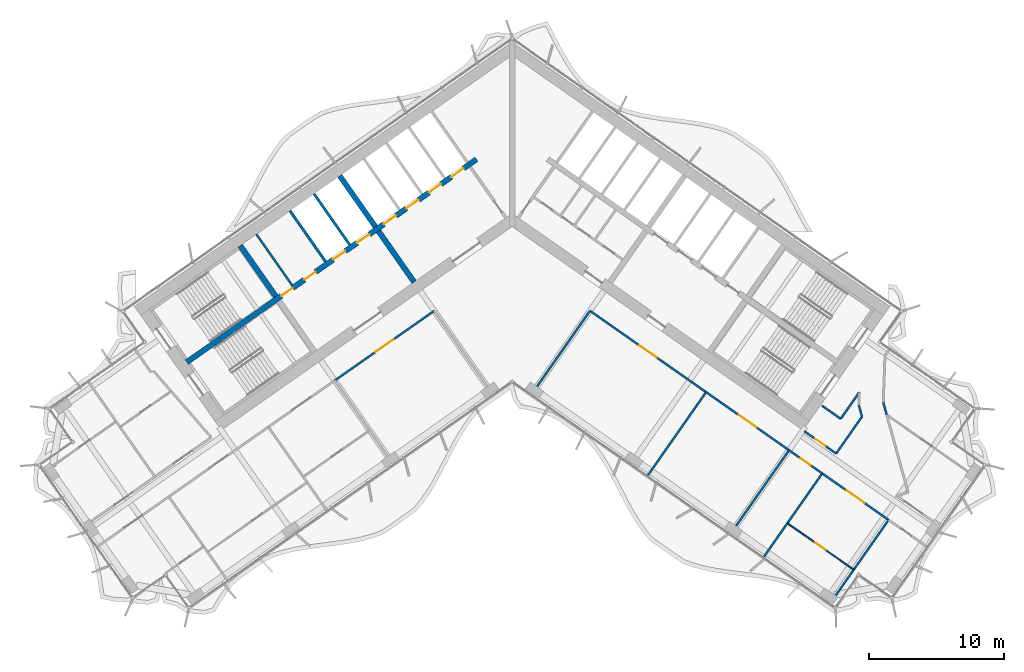
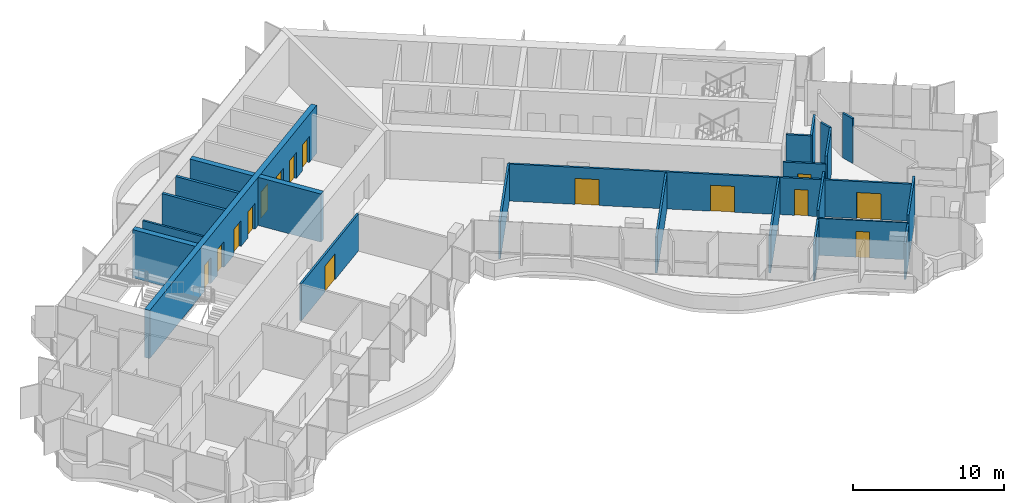
# One storey, part 13 of 21: 26 walls, 15 doors, 15 openings.
"""IFC4 building model written with IfcOpenShell, lengths in metres."""

from ifc_helpers import new_model, si_unit, direction, frame, frame_2d, origin, place, context, subcontext, project, spatial, polyline, rectangle, outline, extrude, material, layer, layer_set, type_object, element, fill, save


model = new_model("IFC4")

# Units and contexts
model_context = context("Model", 3, precision=1e-05, world=origin(), true_north=direction((0.0, 1.0)))
body_context = subcontext(model_context, "Body", "Model", "MODEL_VIEW")
ifc_project = project(units=[si_unit("LENGTHUNIT", "METRE"), si_unit("AREAUNIT", "SQUARE_METRE"), si_unit("VOLUMEUNIT", "CUBIC_METRE"), si_unit("PLANEANGLEUNIT", "RADIAN"), si_unit("MASSUNIT", "GRAM", prefix="KILO")], contexts=[model_context])

# Site, building, storey
site_placement = place(None, origin())
site = spatial("IfcSite", under=ifc_project, at=site_placement, CompositionType="ELEMENT")
building_placement = place(site_placement, origin())
building = spatial("IfcBuilding", under=site, at=building_placement, Name="Tel Ilan Convention Tower", CompositionType="ELEMENT")
storey_placement = place(building_placement, frame((0.0, 0.0, 210.0)))
storey = spatial("IfcBuildingStorey", under=building, at=storey_placement, Name="L49", CompositionType="ELEMENT", Elevation=210.0)

# Walls
ifc_material_1 = material(Name="Gypsum Plasterboard on Steel Stud", Category="steel")
ifc_layer_1 = layer(ifc_material_1, 0.14990234375)
ifc_layer_set_1 = layer_set([ifc_layer_1], Name="Core Room Partition Wall 150 mm EI 60")
wall_type_1 = type_object("IfcWallType", Name="Core Room Partition Wall 150 mm EI 60", PredefinedType="PARTITIONING", material=ifc_layer_set_1)
wall_1_placement = place(storey_placement, frame((-16.302001953125, -5.554931640625, 0.0), z_axis=(0.0, 0.0, 1.0), x_axis=(-0.573576324356, 0.819152122709, 0.0)))
element("IfcWall", 1, at=wall_1_placement, inside=storey, type_object=wall_type_1, Name="L49 core wall bank-W2-split", PredefinedType="PARTITIONING", context=body_context, shape_type="SweptSolid", body=[
    extrude(rectangle(XDim=4.599853515625, YDim=0.14990234375, at=frame_2d((2.2998046875, 0.0))), origin(), (0.0, 0.0, 1.0), 3.6201171875),
])
ifc_material_2 = material(Name="Concrete C50/60", Category="concrete")
ifc_layer_2 = layer(ifc_material_2, 0.39990234375)
ifc_layer_set_2 = layer_set([ifc_layer_2], Name="Core Shear Wall 400 mm C50/60")
wall_type_2 = type_object("IfcWallType", Name="Core Shear Wall 400 mm C50/60", PredefinedType="SHEAR", material=ifc_layer_set_2)
wall_2_placement = place(storey_placement, frame((-7.2578125, -5.325927734375, 0.0), z_axis=(0.0, 0.0, 1.0), x_axis=(-0.573540709186, 0.819177059558, 0.0)))
element("IfcWall", 2, at=wall_2_placement, inside=storey, type_object=wall_type_2, Name="L49 core wall W-cross1-1", PredefinedType="SHEAR", context=body_context, shape_type="SweptSolid", body=[
    extrude(outline(polyline([(4.599853515625, 0.2001953125), (-0.000244140625, 0.199951171875), (-0.000244140625, -0.2001953125), (4.599853515625, -0.199951171875), (4.599853515625, 0.2001953125)])), origin(), (0.0, 0.0, 1.0), 3.89990234375),
])
wall_3_placement = place(storey_placement, frame((-10.12548828125, -1.230224609375, 0.0), z_axis=(0.0, 0.0, 1.0), x_axis=(-0.573576324356, 0.819152122709, 0.0)))
element("IfcWall", 3, at=wall_3_placement, inside=storey, type_object=wall_type_2, Name="L49 core wall W-cross1-2", PredefinedType="SHEAR", context=body_context, shape_type="SweptSolid", body=[
    extrude(outline(polyline([(4.60009765625, -0.199951171875), (4.599853515625, 0.199951171875), (0.0, 0.2001953125), (0.0, -0.199951171875), (4.60009765625, -0.199951171875)])), origin(), (0.0, 0.0, 1.0), 3.89990234375),
])
wall_4_placement = place(storey_placement, frame((-17.497802734375, -6.392333984375, 0.0), z_axis=(0.0, 0.0, 1.0), x_axis=(-0.573611936273, 0.819127185829, 0.0)))
element("IfcWall", 4, at=wall_4_placement, inside=storey, type_object=wall_type_2, Name="L49 core wall W-cross2-2", PredefinedType="SHEAR", context=body_context, shape_type="SweptSolid", body=[
    extrude(outline(polyline([(4.599853515625, -0.2001953125), (4.599853515625, 0.199951171875), (0.0, 0.2001953125), (0.0, -0.199951171875), (4.599853515625, -0.2001953125)])), origin(), (0.0, 0.0, 1.0), 3.89990234375),
])

# Wall, openings, doors
wall_5_placement = place(storey_placement, frame((-2.638427734375, 3.76806640625, 0.0), z_axis=(0.0, 0.0, 1.0), x_axis=(-0.81915267502, -0.573575535572, 0.0)))
wall_5 = element("IfcWall", 5, at=wall_5_placement, inside=storey, type_object=wall_type_2, Name="L49 core wall W-spine", PredefinedType="SHEAR", context=body_context, shape_type="SweptSolid", body=[
    extrude(outline(polyline([(26.199951171875, 0.199951171875), (0.0, 0.199951171875), (0.0, -0.199951171875), (26.199951171875, -0.199951171875), (26.199951171875, 0.199951171875)])), origin(), (0.0, 0.0, 1.0), 3.89990234375),
])
opening_1_placement = place(wall_5_placement, frame((1.168701171875, 0.0, 0.0)))
opening_1 = element("IfcOpeningElement", 6, at=opening_1_placement, cuts=wall_5, Name="Opening LD3804", PredefinedType="OPENING", context=body_context, shape_type="SweptSolid", body=[
    extrude(rectangle(XDim=1.10009765625, YDim=2.10009765625, at=frame_2d((0.550048828125, 1.050048828125))), frame((0.0, 0.2099609375, 0.0), z_axis=(0.0, -1.0, 0.0), x_axis=(1.0, 0.0, 0.0)), (0.0, 0.0, 1.0), 0.419921875),
])
opening_2_placement = place(wall_5_placement, frame((3.206298828125, 0.0, 0.0)))
opening_2 = element("IfcOpeningElement", 7, at=opening_2_placement, cuts=wall_5, Name="Opening LD3805", PredefinedType="OPENING", context=body_context, shape_type="SweptSolid", body=[
    extrude(rectangle(XDim=1.10009765625, YDim=2.10009765625, at=frame_2d((0.550048828125, 1.050048828125))), frame((0.0, 0.2099609375, 0.0), z_axis=(0.0, -1.0, 0.0), x_axis=(1.0, 0.0, 0.0)), (0.0, 0.0, 1.0), 0.419921875),
])
opening_3_placement = place(wall_5_placement, frame((5.24365234375, 0.0, 0.0)))
opening_3 = element("IfcOpeningElement", 8, at=opening_3_placement, cuts=wall_5, Name="Opening LD3806", PredefinedType="OPENING", context=body_context, shape_type="SweptSolid", body=[
    extrude(rectangle(XDim=1.10009765625, YDim=2.10009765625, at=frame_2d((0.550048828125, 1.050048828125))), frame((0.0, 0.2099609375, 0.0), z_axis=(0.0, -1.0, 0.0), x_axis=(1.0, 0.0, 0.0)), (0.0, 0.0, 1.0), 0.419921875),
])
opening_4_placement = place(wall_5_placement, frame((7.28125, 0.0, 0.0)))
opening_4 = element("IfcOpeningElement", 9, at=opening_4_placement, cuts=wall_5, Name="Opening LD3807", PredefinedType="OPENING", context=body_context, shape_type="SweptSolid", body=[
    extrude(rectangle(XDim=1.10009765625, YDim=2.10009765625, at=frame_2d((0.550048828125, 1.050048828125))), frame((0.0, 0.2099609375, 0.0), z_axis=(0.0, -1.0, 0.0), x_axis=(1.0, 0.0, 0.0)), (0.0, 0.0, 1.0), 0.419921875),
])
opening_5_placement = place(wall_5_placement, frame((9.6875, 0.0, 0.0)))
opening_5 = element("IfcOpeningElement", 10, at=opening_5_placement, cuts=wall_5, Name="Opening LD3808", PredefinedType="OPENING", context=body_context, shape_type="SweptSolid", body=[
    extrude(rectangle(XDim=1.10009765625, YDim=2.10009765625, at=frame_2d((0.550048828125, 1.050048828125))), frame((0.0, 0.2099609375, 0.0), z_axis=(0.0, -1.0, 0.0), x_axis=(1.0, 0.0, 0.0)), (0.0, 0.0, 1.0), 0.419921875),
])
opening_6_placement = place(wall_5_placement, frame((11.862548828125, 0.0, 0.0)))
opening_6 = element("IfcOpeningElement", 11, at=opening_6_placement, cuts=wall_5, Name="Opening LD3809", PredefinedType="OPENING", context=body_context, shape_type="SweptSolid", body=[
    extrude(rectangle(XDim=1.10009765625, YDim=2.10009765625, at=frame_2d((0.550048828125, 1.050048828125))), frame((0.0, 0.2099609375, 0.0), z_axis=(0.0, -1.0, 0.0), x_axis=(1.0, 0.0, 0.0)), (0.0, 0.0, 1.0), 0.419921875),
])
opening_7_placement = place(wall_5_placement, frame((14.552490234375, 0.0, 0.0)))
opening_7 = element("IfcOpeningElement", 12, at=opening_7_placement, cuts=wall_5, Name="Opening CD3808", PredefinedType="OPENING", context=body_context, shape_type="SweptSolid", body=[
    extrude(rectangle(XDim=1.0, YDim=2.10009765625, at=frame_2d((0.5, 1.050048828125))), frame((0.0, 0.2099609375, 0.0), z_axis=(0.0, -1.0, 0.0), x_axis=(1.0, 0.0, 0.0)), (0.0, 0.0, 1.0), 0.419921875),
])
opening_8_placement = place(wall_5_placement, frame((16.62744140625, 0.0, 0.0)))
opening_8 = element("IfcOpeningElement", 13, at=opening_8_placement, cuts=wall_5, Name="Opening CD3809", PredefinedType="OPENING", context=body_context, shape_type="SweptSolid", body=[
    extrude(rectangle(XDim=1.0, YDim=2.10009765625, at=frame_2d((0.5, 1.050048828125))), frame((0.0, 0.2099609375, 0.0), z_axis=(0.0, -1.0, 0.0), x_axis=(1.0, 0.0, 0.0)), (0.0, 0.0, 1.0), 0.419921875),
])
ifc_material_3 = material(Name="Stainless Steel Sliding Door Leaf", Category="steel")
door_type_1 = type_object("IfcDoorType", Name="Lift Landing Door 1100 x 2100 FD120", OperationType="NOTDEFINED", PredefinedType="DOOR", material=ifc_material_3)
door_1_placement = place(opening_1_placement, origin())
door_1 = element("IfcDoor", 14, at=door_1_placement, inside=storey, type_object=door_type_1, Name="Lift LR1 landing door", OperationType="SLIDING_TO_LEFT", OverallHeight=2.10009765625, OverallWidth=1.10009765625, PredefinedType="DOOR", context=body_context, shape_type="SweptSolid", body=[
    extrude(rectangle(XDim=1.10009765625, YDim=2.10009765625, at=frame_2d((0.550048828125, 1.050048828125))), frame((0.0, 0.02490234375, 0.0), z_axis=(0.0, -1.0, 0.0), x_axis=(1.0, 0.0, 0.0)), (0.0, 0.0, 1.0), 0.050048828125),
])
fill(opening_1, door_1)
door_2_placement = place(opening_2_placement, origin())
door_2 = element("IfcDoor", 15, at=door_2_placement, inside=storey, type_object=door_type_1, Name="Lift LR2 landing door", OperationType="SLIDING_TO_RIGHT", OverallHeight=2.10009765625, OverallWidth=1.10009765625, PredefinedType="DOOR", context=body_context, shape_type="SweptSolid", body=[
    extrude(rectangle(XDim=1.10009765625, YDim=2.10009765625, at=frame_2d((0.550048828125, 1.050048828125))), frame((0.0, 0.02490234375, 0.0), z_axis=(0.0, -1.0, 0.0), x_axis=(1.0, 0.0, 0.0)), (0.0, 0.0, 1.0), 0.050048828125),
])
fill(opening_2, door_2)
door_3_placement = place(opening_3_placement, origin())
door_3 = element("IfcDoor", 16, at=door_3_placement, inside=storey, type_object=door_type_1, Name="Lift LR3 landing door", OperationType="SLIDING_TO_LEFT", OverallHeight=2.10009765625, OverallWidth=1.10009765625, PredefinedType="DOOR", context=body_context, shape_type="SweptSolid", body=[
    extrude(rectangle(XDim=1.10009765625, YDim=2.10009765625, at=frame_2d((0.550048828125, 1.050048828125))), frame((0.0, 0.02490234375, 0.0), z_axis=(0.0, -1.0, 0.0), x_axis=(1.0, 0.0, 0.0)), (0.0, 0.0, 1.0), 0.050048828125),
])
fill(opening_3, door_3)
door_4_placement = place(opening_4_placement, origin())
door_4 = element("IfcDoor", 17, at=door_4_placement, inside=storey, type_object=door_type_1, Name="Lift LR4 landing door", OperationType="SLIDING_TO_RIGHT", OverallHeight=2.10009765625, OverallWidth=1.10009765625, PredefinedType="DOOR", context=body_context, shape_type="SweptSolid", body=[
    extrude(rectangle(XDim=1.10009765625, YDim=2.10009765625, at=frame_2d((0.550048828125, 1.050048828125))), frame((0.0, 0.02490234375, 0.0), z_axis=(0.0, -1.0, 0.0), x_axis=(1.0, 0.0, 0.0)), (0.0, 0.0, 1.0), 0.050048828125),
])
fill(opening_4, door_4)
door_5_placement = place(opening_5_placement, origin())
door_5 = element("IfcDoor", 18, at=door_5_placement, inside=storey, type_object=door_type_1, Name="Lift LR5 landing door", OperationType="SLIDING_TO_LEFT", OverallHeight=2.10009765625, OverallWidth=1.10009765625, PredefinedType="DOOR", context=body_context, shape_type="SweptSolid", body=[
    extrude(rectangle(XDim=1.10009765625, YDim=2.10009765625, at=frame_2d((0.550048828125, 1.050048828125))), frame((0.0, 0.02490234375, 0.0), z_axis=(0.0, -1.0, 0.0), x_axis=(1.0, 0.0, 0.0)), (0.0, 0.0, 1.0), 0.050048828125),
])
fill(opening_5, door_5)
door_6_placement = place(opening_6_placement, origin())
door_6 = element("IfcDoor", 19, at=door_6_placement, inside=storey, type_object=door_type_1, Name="Lift LR6 landing door", OperationType="SLIDING_TO_RIGHT", OverallHeight=2.10009765625, OverallWidth=1.10009765625, PredefinedType="DOOR", context=body_context, shape_type="SweptSolid", body=[
    extrude(rectangle(XDim=1.10009765625, YDim=2.10009765625, at=frame_2d((0.550048828125, 1.050048828125))), frame((0.0, 0.02490234375, 0.0), z_axis=(0.0, -1.0, 0.0), x_axis=(1.0, 0.0, 0.0)), (0.0, 0.0, 1.0), 0.050048828125),
])
fill(opening_6, door_6)
ifc_material_4 = material(Name="Galvanised Steel Door Leaf", Category="steel")
door_type_2 = type_object("IfcDoorType", Name="Service Room Door 1000 x 2100 FD60", OperationType="NOTDEFINED", PredefinedType="DOOR", material=ifc_material_4)
door_7_placement = place(opening_7_placement, origin())
door_7 = element("IfcDoor", 20, at=door_7_placement, inside=storey, type_object=door_type_2, Name="Plant Room door", OperationType="SINGLE_SWING_RIGHT", OverallHeight=2.10009765625, OverallWidth=1.0, PredefinedType="DOOR", context=body_context, shape_type="SweptSolid", body=[
    extrude(rectangle(XDim=1.0, YDim=2.10009765625, at=frame_2d((0.5, 1.050048828125))), frame((0.0, 0.02490234375, 0.0), z_axis=(0.0, -1.0, 0.0), x_axis=(1.0, 0.0, 0.0)), (0.0, 0.0, 1.0), 0.050048828125),
])
fill(opening_7, door_7)
door_8_placement = place(opening_8_placement, origin())
door_8 = element("IfcDoor", 21, at=door_8_placement, inside=storey, type_object=door_type_2, Name="Plant Room door", OperationType="SINGLE_SWING_RIGHT", OverallHeight=2.10009765625, OverallWidth=1.0, PredefinedType="DOOR", context=body_context, shape_type="SweptSolid", body=[
    extrude(rectangle(XDim=1.0, YDim=2.10009765625, at=frame_2d((0.5, 1.050048828125))), frame((0.0, 0.02490234375, 0.0), z_axis=(0.0, -1.0, 0.0), x_axis=(1.0, 0.0, 0.0)), (0.0, 0.0, 1.0), 0.050048828125),
])
fill(opening_8, door_8)

# Wall, opening, door
ifc_material_5 = material(Name="Plasterboard on Steel Studs", Category="steel")
ifc_layer_3 = layer(ifc_material_5, 0.14990234375)
ifc_layer_set_3 = layer_set([ifc_layer_3], Name="Fire-rated Partition 150 EI 60")
wall_type_3 = type_object("IfcWallType", Name="Fire-rated Partition 150 EI 60", PredefinedType="PARTITIONING", material=ifc_layer_set_3)
wall_6_placement = place(storey_placement, frame((21.641845703125, -16.37451171875, 0.0), z_axis=(0.0, 0.0, 1.0), x_axis=(0.819152318696, -0.573576044456, 0.0)))
wall_6 = element("IfcWall", 22, at=wall_6_placement, inside=storey, type_object=wall_type_3, Name="Partition 001", PredefinedType="PARTITIONING", context=body_context, shape_type="SweptSolid", body=[
    extrude(rectangle(XDim=2.882080078125, YDim=0.14990234375, at=frame_2d((1.44091796875, 0.0))), origin(), (0.0, 0.0, 1.0), 3.0),
])
opening_9_placement = place(wall_6_placement, frame((0.990966796875, 0.0, 0.0)))
opening_9 = element("IfcOpeningElement", 23, at=opening_9_placement, cuts=wall_6, Name="Opening L48-018", PredefinedType="OPENING", context=body_context, shape_type="SweptSolid", body=[
    extrude(rectangle(XDim=0.89990234375, YDim=2.10009765625, at=frame_2d((0.449951171875, 1.050048828125))), frame((0.0, 0.0849609375, 0.0), z_axis=(0.0, -1.0, 0.0), x_axis=(1.0, 0.0, 0.0)), (0.0, 0.0, 1.0), 0.169921875),
])
ifc_material_6 = material(Name="Timber Door Leaf in Steel Frame", Category="steel")
door_type_3 = type_object("IfcDoorType", Name="Room Fire Door 900x2100", OperationType="NOTDEFINED", PredefinedType="DOOR", material=ifc_material_6)
door_9_placement = place(opening_9_placement, origin())
door_9 = element("IfcDoor", 24, at=door_9_placement, inside=storey, type_object=door_type_3, Name="Door L48-018", OperationType="SINGLE_SWING_RIGHT", OverallHeight=2.10009765625, OverallWidth=0.89990234375, PredefinedType="DOOR", context=body_context, shape_type="SweptSolid", body=[
    extrude(rectangle(XDim=0.89990234375, YDim=2.10009765625, at=frame_2d((0.449951171875, 1.050048828125))), frame((0.0, 0.02490234375, 0.0), z_axis=(0.0, -1.0, 0.0), x_axis=(1.0, 0.0, 0.0)), (0.0, 0.0, 1.0), 0.050048828125),
])
fill(opening_9, door_9)

wall_7_placement = place(storey_placement, frame((14.369140625, -13.4794921875, 0.0), z_axis=(0.0, 0.0, 1.0), x_axis=(-0.819154371039, 0.573573113393, 0.0)))
wall_7 = element("IfcWall", 25, at=wall_7_placement, inside=storey, type_object=wall_type_3, Name="Partition 003", PredefinedType="PARTITIONING", context=body_context, shape_type="SweptSolid", body=[
    extrude(rectangle(XDim=10.501953125, YDim=0.14990234375, at=frame_2d((5.2509765625, 0.0))), origin(), (0.0, 0.0, 1.0), 3.0),
])
opening_10_placement = place(wall_7_placement, frame((4.450927734375, 0.0, 0.0)))
opening_10 = element("IfcOpeningElement", 26, at=opening_10_placement, cuts=wall_7, Name="Opening L48-012", PredefinedType="OPENING", context=body_context, shape_type="SweptSolid", body=[
    extrude(rectangle(XDim=1.60009765625, YDim=2.10009765625, at=frame_2d((0.800048828125, 1.050048828125))), frame((0.0, 0.0849609375, 0.0), z_axis=(0.0, -1.0, 0.0), x_axis=(1.0, 0.0, 0.0)), (0.0, 0.0, 1.0), 0.169921875),
])
ifc_material_7 = material(Name="Timber Door Leaf in Steel Frame", Category="steel")
door_type_4 = type_object("IfcDoorType", Name="Tenant Suite Entrance Fire Door 1600x2100", OperationType="NOTDEFINED", PredefinedType="DOOR", material=ifc_material_7)
door_10_placement = place(opening_10_placement, origin())
door_10 = element("IfcDoor", 27, at=door_10_placement, inside=storey, type_object=door_type_4, Name="Door L48-012", OperationType="DOUBLE_DOOR_SINGLE_SWING", OverallHeight=2.10009765625, OverallWidth=1.60009765625, PredefinedType="DOOR", context=body_context, shape_type="SweptSolid", body=[
    extrude(rectangle(XDim=1.60009765625, YDim=2.10009765625, at=frame_2d((0.800048828125, 1.050048828125))), frame((0.0, 0.02490234375, 0.0), z_axis=(0.0, -1.0, 0.0), x_axis=(1.0, 0.0, 0.0)), (0.0, 0.0, 1.0), 0.050048828125),
])
fill(opening_10, door_10)

wall_8_placement = place(storey_placement, frame((20.5126953125, -17.78125, 0.0), z_axis=(0.0, 0.0, 1.0), x_axis=(-0.819164661457, 0.573558416746, 0.0)))
wall_8 = element("IfcWall", 28, at=wall_8_placement, inside=storey, type_object=wall_type_3, Name="Partition 004", PredefinedType="PARTITIONING", context=body_context, shape_type="SweptSolid", body=[
    extrude(rectangle(XDim=7.50390625, YDim=0.14990234375, at=frame_2d((3.751953125, 0.0))), origin(), (0.0, 0.0, 1.0), 3.0),
])
opening_11_placement = place(wall_8_placement, frame((2.951904296875, 0.0, 0.0)))
opening_11 = element("IfcOpeningElement", 29, at=opening_11_placement, cuts=wall_8, Name="Opening L48-013", PredefinedType="OPENING", context=body_context, shape_type="SweptSolid", body=[
    extrude(rectangle(XDim=1.60009765625, YDim=2.10009765625, at=frame_2d((0.800048828125, 1.050048828125))), frame((0.0, 0.0849609375, 0.0), z_axis=(0.0, -1.0, 0.0), x_axis=(1.0, 0.0, 0.0)), (0.0, 0.0, 1.0), 0.169921875),
])
door_11_placement = place(opening_11_placement, origin())
door_11 = element("IfcDoor", 30, at=door_11_placement, inside=storey, type_object=door_type_4, Name="Door L48-013", OperationType="DOUBLE_DOOR_SINGLE_SWING", OverallHeight=2.10009765625, OverallWidth=1.60009765625, PredefinedType="DOOR", context=body_context, shape_type="SweptSolid", body=[
    extrude(rectangle(XDim=1.60009765625, YDim=2.10009765625, at=frame_2d((0.800048828125, 1.050048828125))), frame((0.0, 0.02490234375, 0.0), z_axis=(0.0, -1.0, 0.0), x_axis=(1.0, 0.0, 0.0)), (0.0, 0.0, 1.0), 0.050048828125),
])
fill(opening_11, door_11)

wall_9_placement = place(storey_placement, frame((22.97021484375, -19.502197265625, 0.0), z_axis=(0.0, 0.0, 1.0), x_axis=(-0.819128818764, 0.573609604409, 0.0)))
wall_9 = element("IfcWall", 31, at=wall_9_placement, inside=storey, type_object=wall_type_3, Name="Partition 005", PredefinedType="PARTITIONING", context=body_context, shape_type="SweptSolid", body=[
    extrude(rectangle(XDim=3.004150390625, YDim=0.14990234375, at=frame_2d((1.501953125, 0.0))), origin(), (0.0, 0.0, 1.0), 3.0),
])
opening_12_placement = place(wall_9_placement, frame((1.052001953125, 0.0, 0.0)))
opening_12 = element("IfcOpeningElement", 32, at=opening_12_placement, cuts=wall_9, Name="Opening L48-014", PredefinedType="OPENING", context=body_context, shape_type="SweptSolid", body=[
    extrude(rectangle(XDim=0.89990234375, YDim=2.10009765625, at=frame_2d((0.449951171875, 1.050048828125))), frame((0.0, 0.0849609375, 0.0), z_axis=(0.0, -1.0, 0.0), x_axis=(1.0, 0.0, 0.0)), (0.0, 0.0, 1.0), 0.169921875),
])
door_12_placement = place(opening_12_placement, origin())
door_12 = element("IfcDoor", 33, at=door_12_placement, inside=storey, type_object=door_type_3, Name="Door L48-014", OperationType="SINGLE_SWING_LEFT", OverallHeight=2.10009765625, OverallWidth=0.89990234375, PredefinedType="DOOR", context=body_context, shape_type="SweptSolid", body=[
    extrude(rectangle(XDim=0.89990234375, YDim=2.10009765625, at=frame_2d((0.449951171875, 1.050048828125))), frame((0.0, 0.02490234375, 0.0), z_axis=(0.0, -1.0, 0.0), x_axis=(1.0, 0.0, 0.0)), (0.0, 0.0, 1.0), 0.050048828125),
])
fill(opening_12, door_12)

wall_10_placement = place(storey_placement, frame((27.885009765625, -22.943603515625, 0.0), z_axis=(0.0, 0.0, 1.0), x_axis=(-0.819145946981, 0.573585144111, 0.0)))
wall_10 = element("IfcWall", 34, at=wall_10_placement, inside=storey, type_object=wall_type_3, Name="Partition 006", PredefinedType="PARTITIONING", context=body_context, shape_type="SweptSolid", body=[
    extrude(rectangle(XDim=6.004150390625, YDim=0.14990234375, at=frame_2d((3.001953125, 0.0))), origin(), (0.0, 0.0, 1.0), 3.0),
])
opening_13_placement = place(wall_10_placement, frame((2.201904296875, 0.0, 0.0)))
opening_13 = element("IfcOpeningElement", 35, at=opening_13_placement, cuts=wall_10, Name="Opening L48-015", PredefinedType="OPENING", context=body_context, shape_type="SweptSolid", body=[
    extrude(rectangle(XDim=1.60009765625, YDim=2.10009765625, at=frame_2d((0.800048828125, 1.050048828125))), frame((0.0, 0.0849609375, 0.0), z_axis=(0.0, -1.0, 0.0), x_axis=(1.0, 0.0, 0.0)), (0.0, 0.0, 1.0), 0.169921875),
])
door_13_placement = place(opening_13_placement, origin())
door_13 = element("IfcDoor", 36, at=door_13_placement, inside=storey, type_object=door_type_4, Name="Door L48-015", OperationType="DOUBLE_DOOR_SINGLE_SWING", OverallHeight=2.10009765625, OverallWidth=1.60009765625, PredefinedType="DOOR", context=body_context, shape_type="SweptSolid", body=[
    extrude(rectangle(XDim=1.60009765625, YDim=2.10009765625, at=frame_2d((0.800048828125, 1.050048828125))), frame((0.0, 0.02490234375, 0.0), z_axis=(0.0, -1.0, 0.0), x_axis=(1.0, 0.0, 0.0)), (0.0, 0.0, 1.0), 0.050048828125),
])
fill(opening_13, door_13)

wall_11_placement = place(storey_placement, frame((-5.766357421875, -7.455810546875, 0.0), z_axis=(0.0, 0.0, 1.0), x_axis=(-0.81915291695, -0.57357519006, 0.0)))
wall_11 = element("IfcWall", 37, at=wall_11_placement, inside=storey, type_object=wall_type_3, Name="Partition 010", PredefinedType="PARTITIONING", context=body_context, shape_type="SweptSolid", body=[
    extrude(rectangle(XDim=9.001953125, YDim=0.14990234375, at=frame_2d((4.5009765625, 0.0))), origin(), (0.0, 0.0, 1.0), 3.0),
])
opening_14_placement = place(wall_11_placement, frame((3.700927734375, 0.0, 0.0)))
opening_14 = element("IfcOpeningElement", 38, at=opening_14_placement, cuts=wall_11, Name="Opening L48-001", PredefinedType="OPENING", context=body_context, shape_type="SweptSolid", body=[
    extrude(rectangle(XDim=1.60009765625, YDim=2.10009765625, at=frame_2d((0.800048828125, 1.050048828125))), frame((0.0, 0.0849609375, 0.0), z_axis=(0.0, -1.0, 0.0), x_axis=(1.0, 0.0, 0.0)), (0.0, 0.0, 1.0), 0.169921875),
])
door_14_placement = place(opening_14_placement, origin())
door_14 = element("IfcDoor", 39, at=door_14_placement, inside=storey, type_object=door_type_4, Name="Door L48-001", OperationType="DOUBLE_DOOR_SINGLE_SWING", OverallHeight=2.10009765625, OverallWidth=1.60009765625, PredefinedType="DOOR", context=body_context, shape_type="SweptSolid", body=[
    extrude(rectangle(XDim=1.60009765625, YDim=2.10009765625, at=frame_2d((0.800048828125, 1.050048828125))), frame((0.0, 0.02490234375, 0.0), z_axis=(0.0, -1.0, 0.0), x_axis=(1.0, 0.0, 0.0)), (0.0, 0.0, 1.0), 0.050048828125),
])
fill(opening_14, door_14)

# Walls
wall_12_placement = place(storey_placement, frame((25.677490234375, -14.44580078125, 0.0), z_axis=(0.0, 0.0, 1.0), x_axis=(0.266017607409, -0.963968169883, 0.0)))
element("IfcWall", 40, at=wall_12_placement, inside=storey, type_object=wall_type_3, Name="Partition 015", PredefinedType="PARTITIONING", context=body_context, shape_type="SweptSolid", body=[
    extrude(rectangle(XDim=0.8828125, YDim=0.14990234375, at=frame_2d((0.44140625, 0.0))), origin(), (0.0, 0.0, 1.0), 3.6201171875),
])
wall_13_placement = place(storey_placement, frame((25.912353515625, -15.296875, 0.0), z_axis=(0.0, 0.0, 1.0), x_axis=(-0.573609853161, -0.819128644571, 0.0)))
element("IfcWall", 41, at=wall_13_placement, inside=storey, type_object=wall_type_3, Name="Partition 016", PredefinedType="PARTITIONING", context=body_context, shape_type="SweptSolid", body=[
    extrude(rectangle(XDim=3.332275390625, YDim=0.14990234375, at=frame_2d((1.666015625, 0.0))), origin(), (0.0, 0.0, 1.0), 3.6201171875),
])
wall_14_placement = place(storey_placement, frame((22.961181640625, -14.490478515625, 0.0), z_axis=(0.0, 0.0, 1.0), x_axis=(0.819109000826, -0.573637903879, 0.0)))
element("IfcWall", 42, at=wall_14_placement, inside=storey, type_object=wall_type_3, Name="Partition 017", PredefinedType="PARTITIONING", context=body_context, shape_type="SweptSolid", body=[
    extrude(rectangle(XDim=1.679931640625, YDim=0.14990234375, at=frame_2d((0.83984375, 0.0))), origin(), (0.0, 0.0, 1.0), 3.6201171875),
])
wall_15_placement = place(storey_placement, frame((24.337158203125, -15.4541015625, 0.0), z_axis=(0.0, 0.0, 1.0), x_axis=(0.573605802776, 0.819131480912, 0.0)))
element("IfcWall", 43, at=wall_15_placement, inside=storey, type_object=wall_type_3, Name="Partition 018", PredefinedType="PARTITIONING", context=body_context, shape_type="SweptSolid", body=[
    extrude(rectangle(XDim=2.3984375, YDim=0.14990234375, at=frame_2d((1.19921875, 0.0))), origin(), (0.0, 0.0, 1.0), 3.6201171875),
])
wall_16_placement = place(storey_placement, frame((27.73876953125, -15.14892578125, 0.0), z_axis=(0.0, 0.0, 1.0), x_axis=(-0.265970250562, 0.963981237274, 0.0)))
element("IfcWall", 44, at=wall_16_placement, inside=storey, type_object=wall_type_3, Name="Partition 020", PredefinedType="PARTITIONING", context=body_context, shape_type="SweptSolid", body=[
    extrude(rectangle(XDim=0.9482421875, YDim=0.14990234375, at=frame_2d((0.47412109375, 0.0))), origin(), (0.0, 0.0, 1.0), 3.6201171875),
])
wall_17_placement = place(storey_placement, frame((14.367431640625, -13.478515625, 0.0), z_axis=(0.0, 0.0, 1.0), x_axis=(-0.573575945067, -0.81915238829, 0.0)))
element("IfcWall", 45, at=wall_17_placement, inside=storey, type_object=wall_type_3, Name="Partition 025", PredefinedType="PARTITIONING", context=body_context, shape_type="SweptSolid", body=[
    extrude(rectangle(XDim=7.5, YDim=0.14990234375, at=frame_2d((3.75, 0.0))), origin(), (0.0, 0.0, 1.0), 2.89990234375),
])
for number, where, z_axis, x_axis, name in (
    (46, (1.848876953125, -13.050537109375, 0.0), (0.0, 0.0, 1.0), (0.573577493031, 0.819151304393, 0.0), "Partition 026"),
    (47, (20.510986328125, -17.7802734375, 0.0), (0.0, 0.0, 1.0), (-0.573577493031, -0.819151304393, 0.0), "Partition 027"),
):
    element("IfcWall", number, at=place(storey_placement, frame(where, z_axis=z_axis, x_axis=x_axis)), inside=storey, type_object=wall_type_3, Name=name, PredefinedType="PARTITIONING", context=body_context, shape_type="SweptSolid", body=[
        extrude(rectangle(XDim=6.829833984375, YDim=0.14990234375, at=frame_2d((3.4150390625, 0.0))), origin(), (0.0, 0.0, 1.0), 3.0),
    ])
wall_18_placement = place(storey_placement, frame((20.387939453125, -23.186279296875, 0.0), z_axis=(0.0, 0.0, 1.0), x_axis=(-0.573555162214, -0.819166940189, 0.0)))
element("IfcWall", 48, at=wall_18_placement, inside=storey, type_object=wall_type_3, Name="Partition 028", PredefinedType="PARTITIONING", context=body_context, shape_type="SweptSolid", body=[
    extrude(rectangle(XDim=3.0009765625, YDim=0.14990234375, at=frame_2d((1.50048828125, 0.0))), origin(), (0.0, 0.0, 1.0), 2.89990234375),
])
wall_19_placement = place(storey_placement, frame((22.968505859375, -19.5009765625, 0.0), z_axis=(0.0, 0.0, 1.0), x_axis=(-0.573589723117, -0.819142740634, 0.0)))
element("IfcWall", 49, at=wall_19_placement, inside=storey, type_object=wall_type_3, Name="Partition 029", PredefinedType="PARTITIONING", context=body_context, shape_type="SweptSolid", body=[
    extrude(rectangle(XDim=4.501953125, YDim=0.14990234375, at=frame_2d((2.2509765625, 0.0))), origin(), (0.0, 0.0, 1.0), 3.6201171875),
])
wall_20_placement = place(storey_placement, frame((25.3017578125, -26.62939453125, 0.0), z_axis=(0.0, 0.0, 1.0), x_axis=(-0.573617113266, -0.819123560501, 0.0)))
element("IfcWall", 50, at=wall_20_placement, inside=storey, type_object=wall_type_3, Name="Partition 031", PredefinedType="PARTITIONING", context=body_context, shape_type="SweptSolid", body=[
    extrude(rectangle(XDim=2.328857421875, YDim=0.14990234375, at=frame_2d((1.16455078125, 0.0))), origin(), (0.0, 0.0, 1.0), 2.89990234375),
])
wall_21_placement = place(storey_placement, frame((27.883544921875, -22.9423828125, 0.0), z_axis=(0.0, 0.0, 1.0), x_axis=(-0.573560650686, -0.819163097304, 0.0)))
element("IfcWall", 51, at=wall_21_placement, inside=storey, type_object=wall_type_3, Name="Partition 032", PredefinedType="PARTITIONING", context=body_context, shape_type="SweptSolid", body=[
    extrude(rectangle(XDim=4.5, YDim=0.14990234375, at=frame_2d((2.25, 0.0))), origin(), (0.0, 0.0, 1.0), 3.6201171875),
])
ifc_material_8 = material(Name="Concrete C30/37", Category="concrete")
ifc_layer_4 = layer(ifc_material_8, 0.199951171875)
ifc_layer_set_4 = layer_set([ifc_layer_4], Name="Lift Shaft Wall 200 mm C30/37")
wall_type_4 = type_object("IfcWallType", Name="Lift Shaft Wall 200 mm C30/37", PredefinedType="SOLIDWALL", material=ifc_layer_set_4)
for number, where, z_axis, x_axis, name in (
    (52, (-12.030029296875, -2.563720703125, 0.0), (0.0, 0.0, 1.0), (-0.573576324356, 0.819152122709, 0.0), "L49 core wall bank-W2-p0"),
    (53, (-13.811767578125, -3.811279296875, 0.0), (0.0, 0.0, 1.0), (-0.573576324356, 0.819152122709, 0.0), "L49 core wall bank-W2-p1"),
):
    element("IfcWall", number, at=place(storey_placement, frame(where, z_axis=z_axis, x_axis=x_axis)), inside=storey, type_object=wall_type_4, Name=name, PredefinedType="SOLIDWALL", context=body_context, shape_type="SweptSolid", body=[
        extrude(rectangle(XDim=4.599853515625, YDim=0.199951171875, at=frame_2d((2.2998046875, 0.0))), origin(), (0.0, 0.0, 1.0), 3.89990234375),
    ])

# Wall, opening, door
ifc_material_9 = material(Name="Plasterboard on Steel Studs", Category="steel")
ifc_layer_5 = layer(ifc_material_9, 0.10009765625)
ifc_layer_set_5 = layer_set([ifc_layer_5], Name="Plasterboard Partition 100")
wall_type_5 = type_object("IfcWallType", Name="Plasterboard Partition 100", PredefinedType="PARTITIONING", material=ifc_layer_set_5)
wall_22_placement = place(storey_placement, frame((25.3017578125, -26.62939453125, 0.0), z_axis=(0.0, 0.0, 1.0), x_axis=(-0.819149710902, 0.573579768758, 0.0)))
wall_22 = element("IfcWall", 54, at=wall_22_placement, inside=storey, type_object=wall_type_5, Name="Partition 030", PredefinedType="PARTITIONING", context=body_context, shape_type="SweptSolid", body=[
    extrude(rectangle(XDim=5.999755859375, YDim=0.10009765625, at=frame_2d((3.0, 0.0))), origin(), (0.0, 0.0, 1.0), 3.0),
])
opening_15_placement = place(wall_22_placement, frame((2.550048828125, 0.0, 0.0)))
opening_15 = element("IfcOpeningElement", 55, at=opening_15_placement, cuts=wall_22, Name="Opening L48-016", PredefinedType="OPENING", context=body_context, shape_type="SweptSolid", body=[
    extrude(rectangle(XDim=0.89990234375, YDim=2.10009765625, at=frame_2d((0.449951171875, 1.050048828125))), frame((0.0, 0.06005859375, 0.0), z_axis=(0.0, -1.0, 0.0), x_axis=(1.0, 0.0, 0.0)), (0.0, 0.0, 1.0), 0.1201171875),
])
ifc_material_10 = material(Name="Timber Door Leaf in Steel Frame", Category="steel")
door_type_5 = type_object("IfcDoorType", Name="Room Timber Door 900x2100", OperationType="NOTDEFINED", PredefinedType="DOOR", material=ifc_material_10)
door_15_placement = place(opening_15_placement, origin())
door_15 = element("IfcDoor", 56, at=door_15_placement, inside=storey, type_object=door_type_5, Name="Door L48-016", OperationType="SINGLE_SWING_RIGHT", OverallHeight=2.10009765625, OverallWidth=0.89990234375, PredefinedType="DOOR", context=body_context, shape_type="SweptSolid", body=[
    extrude(rectangle(XDim=0.89990234375, YDim=2.10009765625, at=frame_2d((0.449951171875, 1.050048828125))), frame((0.0, 0.02490234375, 0.0), z_axis=(0.0, -1.0, 0.0), x_axis=(1.0, 0.0, 0.0)), (0.0, 0.0, 1.0), 0.050048828125),
])
fill(opening_15, door_15)

save(model, "model.ifc")
